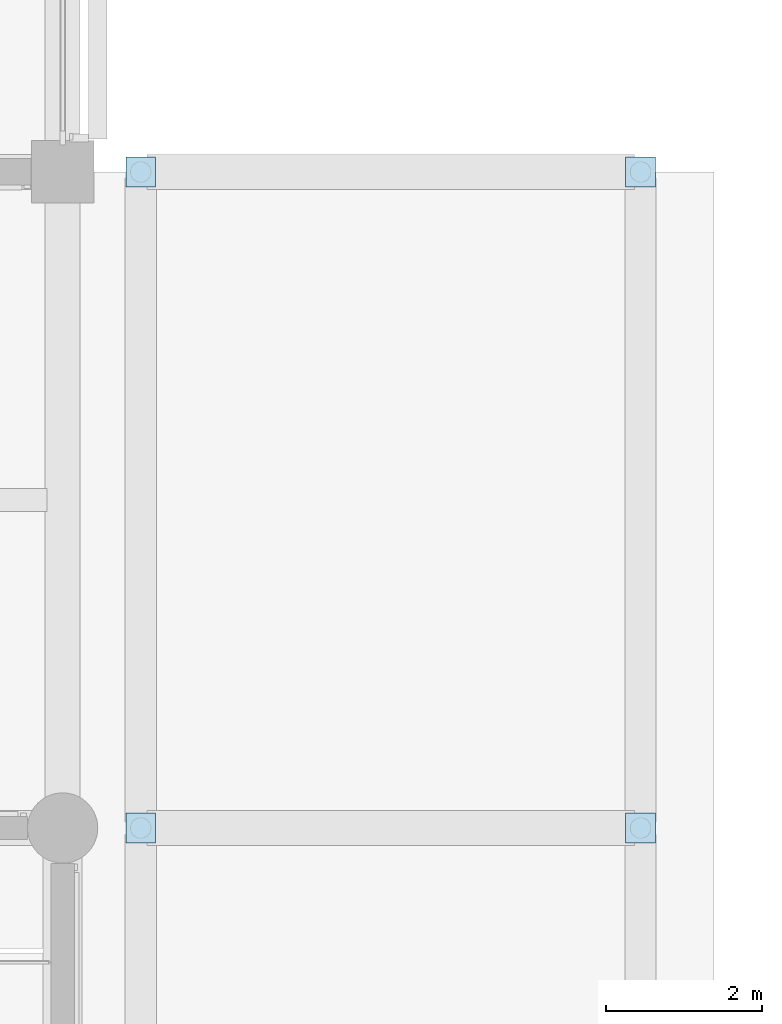
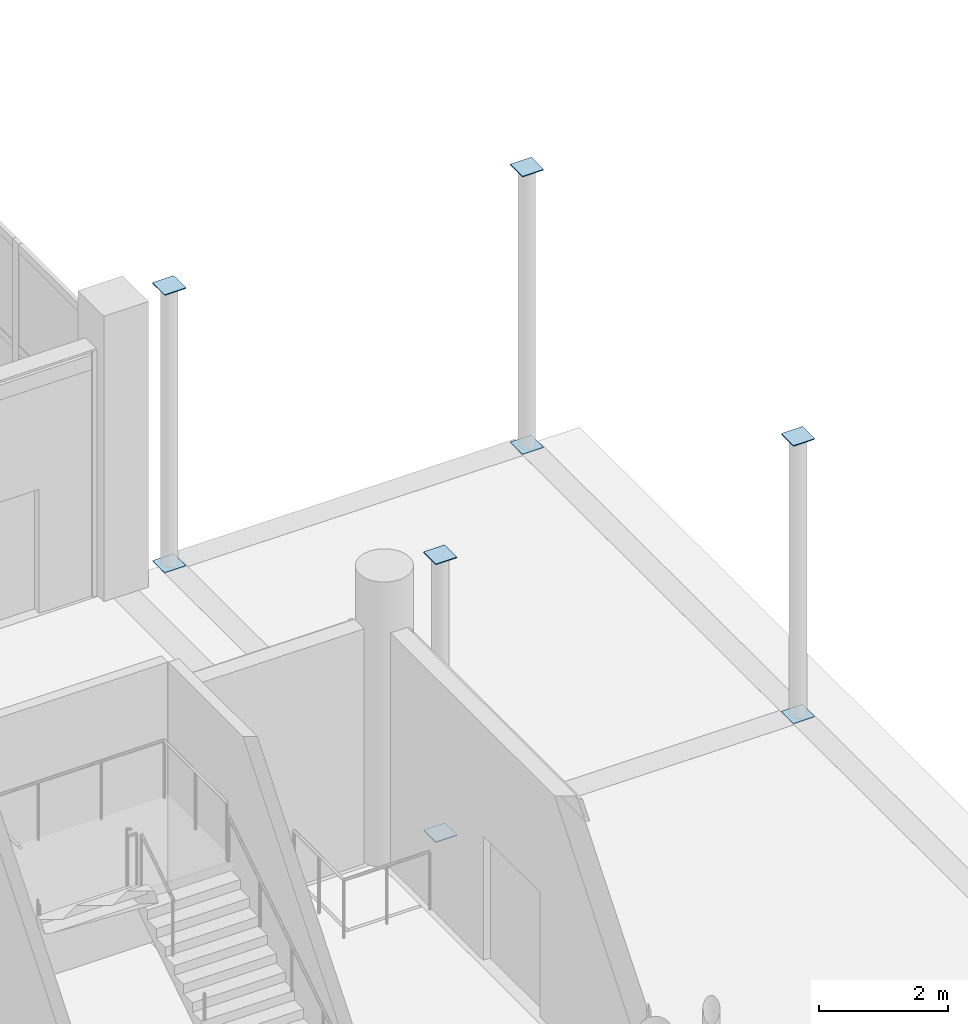
# One storey, part 55 of 140: 8 plates.
"""IFC4 building model written with IfcOpenShell, lengths in metres."""

from ifc_helpers import new_model, si_unit, direction, frame, origin, origin_2d, place, context, subcontext, project, spatial, rectangle, extrude, material, layer, layer_set, type_object, element, save


model = new_model("IFC4")

# Units and contexts
model_context = context("Model", 3, precision=1e-05, world=origin(), true_north=direction((0.0, 1.0)))
body_context = subcontext(model_context, "Body", "Model", "MODEL_VIEW")
ifc_project = project(units=[si_unit("LENGTHUNIT", "METRE"), si_unit("AREAUNIT", "SQUARE_METRE"), si_unit("VOLUMEUNIT", "CUBIC_METRE"), si_unit("PLANEANGLEUNIT", "RADIAN"), si_unit("MASSUNIT", "GRAM", prefix="KILO")], contexts=[model_context])

# Site, building, storey
site_placement = place(None, origin())
site = spatial("IfcSite", under=ifc_project, at=site_placement, CompositionType="ELEMENT")
building_placement = place(site_placement, origin())
building = spatial("IfcBuilding", under=site, at=building_placement, Name="Telukmera Botanical Conservatory", CompositionType="ELEMENT")
storey_placement = place(building_placement, origin())
storey = spatial("IfcBuildingStorey", under=building, at=storey_placement, Name="L00", CompositionType="ELEMENT", Elevation=0.0)

# Plates
ifc_material = material(Name="Steel S355", Category="steel")
ifc_layer = layer(ifc_material, 0.01611328125)
ifc_layer_set = layer_set([ifc_layer], Name="Steel S355")
plate_type = type_object("IfcPlateType", Name="Plate_CP1", PredefinedType="USERDEFINED", material=ifc_layer_set)
for number, where, z_axis, x_axis, name in (
    (1, (43.0, 74.800048828125, -0.01611328125), (0.0, 0.0, 1.0), (1.0, 0.0, 0.0), "CP1 Column End Cap Plate V5-L00"),
    (2, (43.0, 74.800048828125, 5.239990234375), (0.0, 0.0, 1.0), (1.0, 0.0, 0.0), "CP1 Column End Cap Plate V5-L00"),
    (3, (49.39990234375, 74.800048828125, -0.01611328125), (0.0, 0.0, 1.0), (1.0, 0.0, 0.0), "CP1 Column End Cap Plate V5-L00"),
    (4, (49.39990234375, 74.800048828125, 5.239990234375), (0.0, 0.0, 1.0), (1.0, 0.0, 0.0), "CP1 Column End Cap Plate V5-L00"),
    (5, (43.0, 83.199951171875, -0.01611328125), (0.0, 0.0, 1.0), (1.0, 0.0, 0.0), "CP1 Column End Cap Plate V5-L00"),
    (6, (43.0, 83.199951171875, 5.239990234375), (0.0, 0.0, 1.0), (1.0, 0.0, 0.0), "CP1 Column End Cap Plate V5-L00"),
    (7, (49.39990234375, 83.199951171875, -0.01611328125), (0.0, 0.0, 1.0), (1.0, 0.0, 0.0), "CP1 Column End Cap Plate V5-L00"),
    (8, (49.39990234375, 83.199951171875, 5.239990234375), (0.0, 0.0, 1.0), (1.0, 0.0, 0.0), "CP1 Column End Cap Plate V5-L00"),
):
    element("IfcPlate", number, at=place(storey_placement, frame(where, z_axis=z_axis, x_axis=x_axis)), inside=storey, type_object=plate_type, Name=name, ObjectType="CAP_PLATE", PredefinedType="USERDEFINED", context=body_context, shape_type="SweptSolid", body=[
        extrude(rectangle(XDim=0.3798828125, YDim=0.3798828125, at=origin_2d()), origin(), (0.0, 0.0, 1.0), 0.01611328125),
    ])

save(model, "model.ifc")
